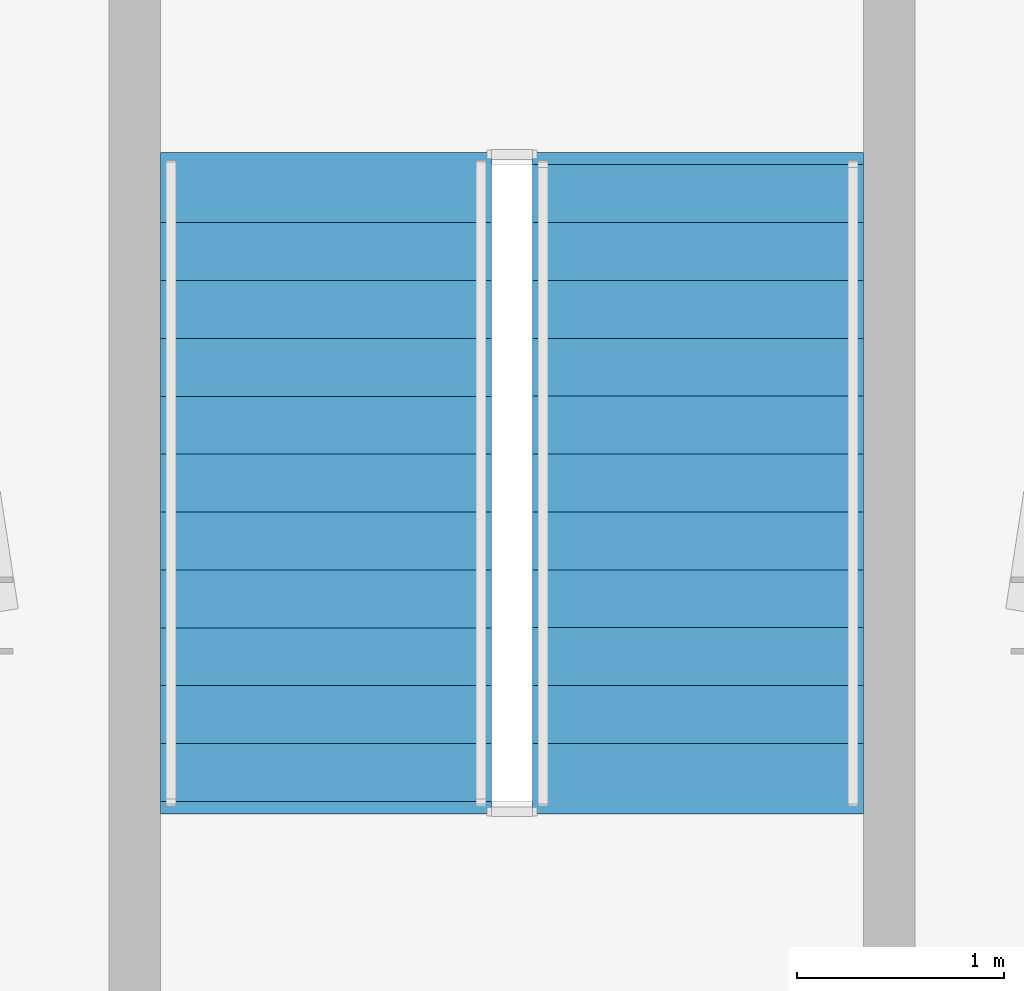
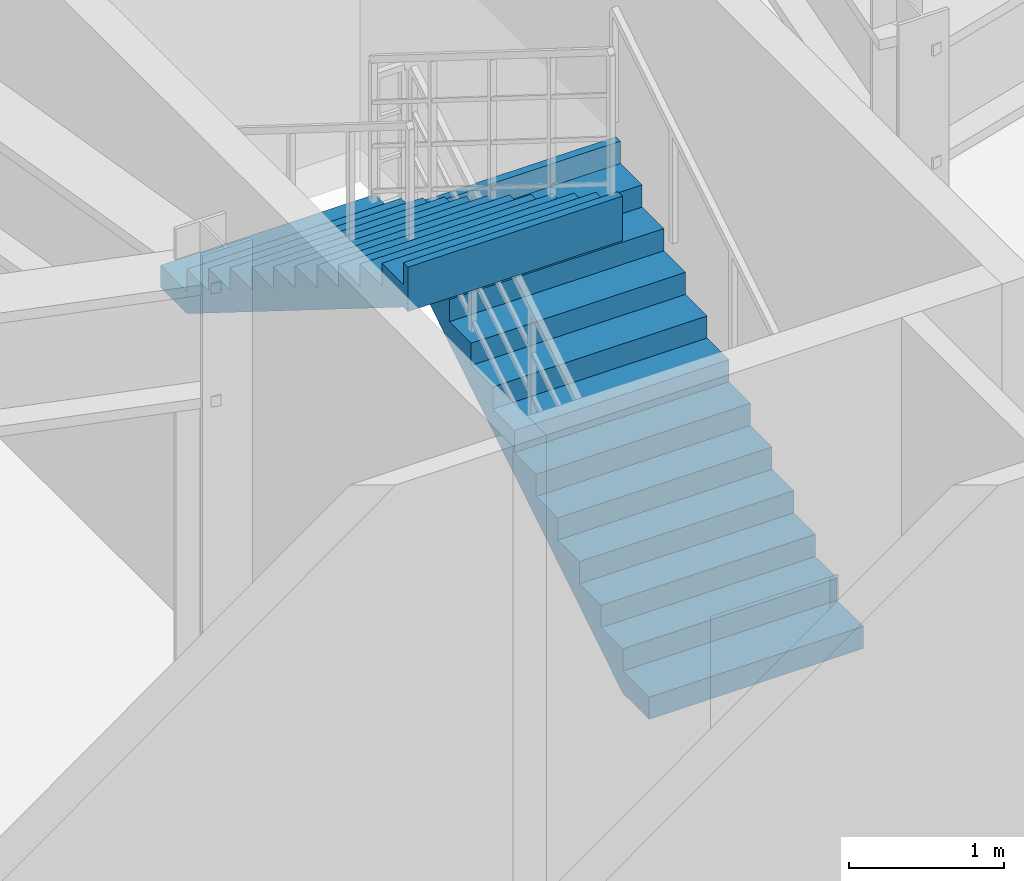
# One storey, part 12 of 13: 2 stair flights, 1 element without a shape of its own.
"""IFC4 building model written with IfcOpenShell, lengths in metres."""

import ifcopenshell
import ifcopenshell.guid

model = None  # the IFC model being written
_history = None  # IfcOwnerHistory: only IFC2X3 demands one
_inside = {}  # id of a spatial element -> (the spatial element, [elements in it])
_under = {}  # id of a project, library or spatial element -> (it, [spatial elements below it])
_declared = {}  # id of a project -> (the project, [libraries it declares])
_typed = {}  # id of a type object -> (the type object, [elements of that type])
_made_of = {}  # id of a material, layer set ... -> (it, [elements and type objects made of it])


def new_model(schema):
    """Start an empty IFC model of exactly this schema.

    Asked for "IFC4X3", IfcOpenShell would pick the latest addendum, in which some entities
    have other attributes; the version numbers below select the first issue.
    IFC2X3 requires an IfcOwnerHistory on every rooted entity: one is made here for all.
    """
    global model, _history
    if schema == "IFC4X3":
        model = ifcopenshell.file(schema_version=(4, 3, 0, 0))
    else:
        model = ifcopenshell.file(schema=schema)
    _inside.clear()
    _under.clear()
    _declared.clear()
    _typed.clear()
    _made_of.clear()
    _history = None
    if model.schema == "IFC2X3":
        org = make("IfcOrganization", Name="unknown")
        user = make(
            "IfcPersonAndOrganization",
            ThePerson=make("IfcPerson", FamilyName="unknown"),
            TheOrganization=org,
        )
        app = make(
            "IfcApplication",
            ApplicationDeveloper=org,
            Version="unknown",
            ApplicationFullName="unknown",
            ApplicationIdentifier="unknown",
        )
        _history = make(
            "IfcOwnerHistory",
            OwningUser=user,
            OwningApplication=app,
            ChangeAction="ADDED",
            CreationDate=0,
        )
    return model


def make(cls, **values):
    """One entity of the class cls with the attributes given. An attribute that is None is left unset."""
    return model.create_entity(
        cls, **{name: value for name, value in values.items() if value is not None}
    )


def rooted(cls, **values):
    """An entity with a GlobalId (a new one), such as an element, a storey or a relation."""
    return make(cls, GlobalId=ifcopenshell.guid.new(), OwnerHistory=_history, **values)


def si_unit(unit_type, name, prefix=None):
    """IfcSIUnit, for example si_unit("LENGTHUNIT", "METRE", prefix="MILLI")."""
    return make("IfcSIUnit", UnitType=unit_type, Prefix=prefix, Name=name)


def assignment(units):
    """IfcUnitAssignment: the units of a project."""
    return None if units is None else make("IfcUnitAssignment", Units=units)


def point(xyz):
    """IfcCartesianPoint."""
    return None if xyz is None else make("IfcCartesianPoint", Coordinates=xyz)


def direction(xyz):
    """IfcDirection."""
    return None if xyz is None else make("IfcDirection", DirectionRatios=xyz)


def frame(location, z_axis=None, x_axis=None):
    """IfcAxis2Placement3D, a coordinate frame: its origin and axes. An axis left out is left unset."""
    return make(
        "IfcAxis2Placement3D",
        Location=point(location),
        Axis=direction(z_axis),
        RefDirection=direction(x_axis),
    )


def origin():
    """The frame at (0, 0, 0) with its axes left unset."""
    return frame((0.0, 0.0, 0.0))


def place(relative_to, where):
    """IfcLocalPlacement: puts the frame where relative to a parent placement (None: the world)."""
    return make(
        "IfcLocalPlacement", PlacementRelTo=relative_to, RelativePlacement=where
    )


def context(
    kind, dimensions, precision=None, world=None, true_north=None, identifier=None
):
    """IfcGeometricRepresentationContext, for example the 3D "Model" context."""
    return make(
        "IfcGeometricRepresentationContext",
        ContextIdentifier=identifier,
        ContextType=kind,
        CoordinateSpaceDimension=dimensions,
        Precision=precision,
        WorldCoordinateSystem=world,
        TrueNorth=true_north,
    )


def subcontext(parent, identifier, kind, view, scale=None):
    """IfcGeometricRepresentationSubContext, for example "Body" below "Model"."""
    return make(
        "IfcGeometricRepresentationSubContext",
        ContextIdentifier=identifier,
        ContextType=kind,
        ParentContext=parent,
        TargetScale=scale,
        TargetView=view,
    )


def project(units=None, contexts=None):
    """IfcProject with its units and contexts."""
    return rooted(
        "IfcProject",
        Name="project",
        RepresentationContexts=contexts,
        UnitsInContext=assignment(units),
    )


def spatial(cls, under=None, at=None, **own):
    """A site, building, storey or space (cls), placed at a placement, below another one or the project."""
    s = rooted(cls, ObjectPlacement=at, **own)
    if under is not None:
        _under.setdefault(under.id(), (under, []))[1].append(s)
    return s


def polyline(points):
    """IfcPolyline through the points."""
    return make("IfcPolyline", Points=[point(p) for p in points])


def outline(outer, holes=None, kind="AREA"):
    """IfcArbitraryClosedProfileDef: a profile drawn as a closed curve; with holes, ...WithVoids."""
    if holes is None:
        return make("IfcArbitraryClosedProfileDef", ProfileType=kind, OuterCurve=outer)
    return make(
        "IfcArbitraryProfileDefWithVoids",
        ProfileType=kind,
        OuterCurve=outer,
        InnerCurves=holes,
    )


def extrude(swept, where, along, depth):
    """IfcExtrudedAreaSolid: the profile swept, set in the frame where, extruded along a direction by depth."""
    return make(
        "IfcExtrudedAreaSolid",
        SweptArea=swept,
        Position=where,
        ExtrudedDirection=direction(along),
        Depth=depth,
    )


def shape(context_of_items, identifier, shape_type, items):
    """IfcShapeRepresentation: the items that make up one representation, for example the "Body"."""
    return make(
        "IfcShapeRepresentation",
        ContextOfItems=context_of_items,
        RepresentationIdentifier=identifier,
        RepresentationType=shape_type,
        Items=items,
    )


def material(Name=None, Category=None):
    """IfcMaterial."""
    return make("IfcMaterial", Name=Name, Category=Category)


def made_of(thing, what):
    """Note that an element or type object is made of a material, layer set ...; save() writes the relation."""
    if what is not None:
        _made_of.setdefault(what.id(), (what, []))[1].append(thing)
    return thing


def type_object(cls, material=None, **own):
    """A type object (cls), such as IfcWallType, which elements share."""
    return made_of(rooted(cls, **own), material)


def element(
    cls,
    number,
    at=None,
    inside=None,
    cuts=None,
    type_object=None,
    material=None,
    context=None,
    identifier="Body",
    shape_type=None,
    held_by="IfcProductDefinitionShape",
    body=None,
    shapes=None,
    **own,
):
    """One element of the class cls, such as IfcWall. Its Tag is "e" and its number.

    at: its placement. inside: the storey or other place that contains it. cuts: it is an
    opening in that element (IfcRelVoidsElement). A single representation is given by context,
    identifier, shape_type and body (its items); several are given by shapes. held_by: the class
    of the entity that holds the representations. save() writes the other relations.
    """
    e = rooted(cls, Tag="e%d" % number, ObjectPlacement=at, **own)
    if body is not None:
        shapes = [shape(context, identifier, shape_type, body)]
    if shapes is not None:
        e.Representation = make(held_by, Representations=shapes)
    if inside is not None:
        _inside.setdefault(inside.id(), (inside, []))[1].append(e)
    if cuts is not None:
        rooted(
            "IfcRelVoidsElement", RelatingBuildingElement=cuts, RelatedOpeningElement=e
        )
    if type_object is not None:
        _typed.setdefault(type_object.id(), (type_object, []))[1].append(e)
    return made_of(e, material)


def aggregate(whole, parts):
    """IfcRelAggregates: a whole, such as a stair, and the parts it consists of."""
    return rooted("IfcRelAggregates", RelatingObject=whole, RelatedObjects=parts)


def save(model, path):
    """Write the relations noted so far, then the file.

    IfcRelAggregates (storeys below a building ...), IfcRelContainedInSpatialStructure (elements
    in a storey), IfcRelDefinesByType, IfcRelAssociatesMaterial and IfcRelDeclares: one each for
    every whole, place, type object, material and project.
    """
    for whole, parts in _under.values():
        aggregate(whole, parts)
    for where, things in _inside.values():
        rooted(
            "IfcRelContainedInSpatialStructure",
            RelatedElements=things,
            RelatingStructure=where,
        )
    for kind, things in _typed.values():
        rooted("IfcRelDefinesByType", RelatedObjects=things, RelatingType=kind)
    for what, things in _made_of.values():
        rooted("IfcRelAssociatesMaterial", RelatedObjects=things, RelatingMaterial=what)
    for by, libraries in _declared.values():
        rooted("IfcRelDeclares", RelatingContext=by, RelatedDefinitions=libraries)
    model.write(path)


model = new_model("IFC4")

# Units and contexts
model_context = context("Model", 3, precision=1e-05, world=origin(), true_north=direction((0.0, 1.0)))
body_context = subcontext(model_context, "Body", "Model", "MODEL_VIEW")
ifc_project = project(units=[si_unit("LENGTHUNIT", "METRE"), si_unit("AREAUNIT", "SQUARE_METRE"), si_unit("VOLUMEUNIT", "CUBIC_METRE"), si_unit("PLANEANGLEUNIT", "RADIAN"), si_unit("MASSUNIT", "GRAM", prefix="KILO")], contexts=[model_context])

# Site, building, storey
site_placement = place(None, origin())
site = spatial("IfcSite", under=ifc_project, at=site_placement, CompositionType="ELEMENT")
building_placement = place(site_placement, origin())
building = spatial("IfcBuilding", under=site, at=building_placement, Name="Varakhsha Concourse Tower", CompositionType="ELEMENT")
storey_placement = place(building_placement, frame((0.0, 0.0, 111.800048828125)))
storey = spatial("IfcBuildingStorey", under=building, at=storey_placement, Name="L32", CompositionType="ELEMENT", Elevation=111.800048828125)

# Stair, stair flights
ifc_material = material(Name="Concrete fc 45 MPa", Category="concrete")
stair_type = type_object("IfcStairType", Name="ST-DOGLEG-1600", PredefinedType="HALF_TURN_STAIR", material=ifc_material)
stair_placement = place(storey_placement, origin())
stair = element("IfcStair", 1, at=stair_placement, inside=storey, type_object=stair_type, Name="L32 Protected Exit Stair ST5", PredefinedType="HALF_TURN_STAIR")
stair_flight_type = type_object("IfcStairFlightType", Name="STF-1600-R1750", PredefinedType="STRAIGHT", material=ifc_material)
stair_flight_1_placement = place(storey_placement, frame((40.89990234375, 40.300048828125, 0.0), z_axis=(0.0, 0.0, 1.0), x_axis=(0.0, 1.0, 0.0)))
stair_flight_1 = element("IfcStairFlight", 2, at=stair_flight_1_placement, type_object=stair_flight_type, Name="ST5 flight 1", NumberOfRisers=12, NumberOfTreads=11, PredefinedType="STRAIGHT", RiserHeight=0.175, TreadLength=0.28, context=body_context, shape_type="SweptSolid", body=[
    extrude(outline(polyline([(-0.06005859375, 0.0), (-0.06005859375, 0.175048828125), (0.0, 0.175048828125), (0.280029296875, 0.175048828125), (0.280029296875, 0.35009765625), (0.56005859375, 0.35009765625), (0.56005859375, 0.52490234375), (0.840087890625, 0.52490234375), (0.840087890625, 0.699951171875), (1.1201171875, 0.699951171875), (1.1201171875, 0.875), (1.39990234375, 0.875), (1.39990234375, 1.050048828125), (1.679931640625, 1.050048828125), (1.679931640625, 1.22509765625), (1.9599609375, 1.22509765625), (1.9599609375, 1.39990234375), (2.239990234375, 1.39990234375), (2.239990234375, 1.574951171875), (2.52001953125, 1.574951171875), (2.52001953125, 1.75), (2.800048828125, 1.75), (2.800048828125, 1.925048828125), (3.080078125, 1.925048828125), (3.080078125, 2.10009765625), (3.139892578125, 2.10009765625), (3.139892578125, 1.748291015625), (3.080078125, 1.748291015625), (0.28271484375, 0.0), (-0.06005859375, 0.0)])), frame((0.0, 0.800048828125, 0.0), z_axis=(0.0, -1.0, 0.0), x_axis=(1.0, 0.0, 0.0)), (0.0, 0.0, 1.0), 1.60009765625),
])
stair_flight_2_placement = place(storey_placement, frame((39.10009765625, 43.3798828125, 2.099853515625), z_axis=(0.0, 0.0, 1.0), x_axis=(0.0, -1.0, 0.0)))
stair_flight_2 = element("IfcStairFlight", 3, at=stair_flight_2_placement, type_object=stair_flight_type, Name="ST5 flight 2", NumberOfRisers=12, NumberOfTreads=11, PredefinedType="STRAIGHT", RiserHeight=0.175, TreadLength=0.28, context=body_context, shape_type="SweptSolid", body=[
    extrude(outline(polyline([(-0.06005859375, 0.0), (-0.06005859375, 0.175048828125), (0.0, 0.175048828125), (0.280029296875, 0.175048828125), (0.280029296875, 0.35009765625), (0.56005859375, 0.35009765625), (0.56005859375, 0.52490234375), (0.840087890625, 0.52490234375), (0.840087890625, 0.699951171875), (1.1201171875, 0.699951171875), (1.1201171875, 0.875), (1.39990234375, 0.875), (1.39990234375, 1.050048828125), (1.679931640625, 1.050048828125), (1.679931640625, 1.22509765625), (1.9599609375, 1.22509765625), (1.9599609375, 1.39990234375), (2.239990234375, 1.39990234375), (2.239990234375, 1.574951171875), (2.52001953125, 1.574951171875), (2.52001953125, 1.75), (2.800048828125, 1.75), (2.800048828125, 1.925048828125), (3.080078125, 1.925048828125), (3.080078125, 2.10009765625), (3.139892578125, 2.10009765625), (3.139892578125, 1.748291015625), (3.080078125, 1.748291015625), (0.28271484375, 0.0), (-0.06005859375, 0.0)])), frame((0.0, 0.800048828125, 0.0), z_axis=(0.0, -1.0, 0.0), x_axis=(1.0, 0.0, 0.0)), (0.0, 0.0, 1.0), 1.60009765625),
])
aggregate(stair, [stair_flight_1, stair_flight_2])

save(model, "model.ifc")
